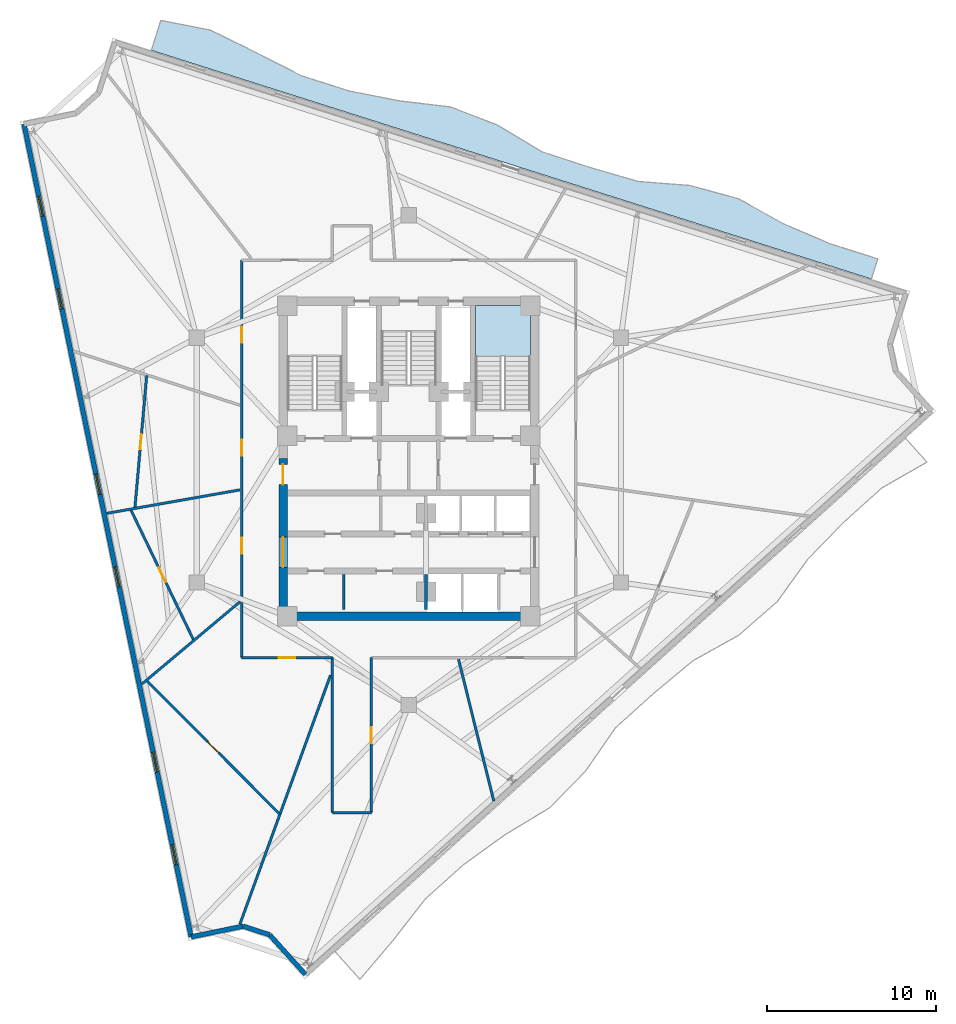
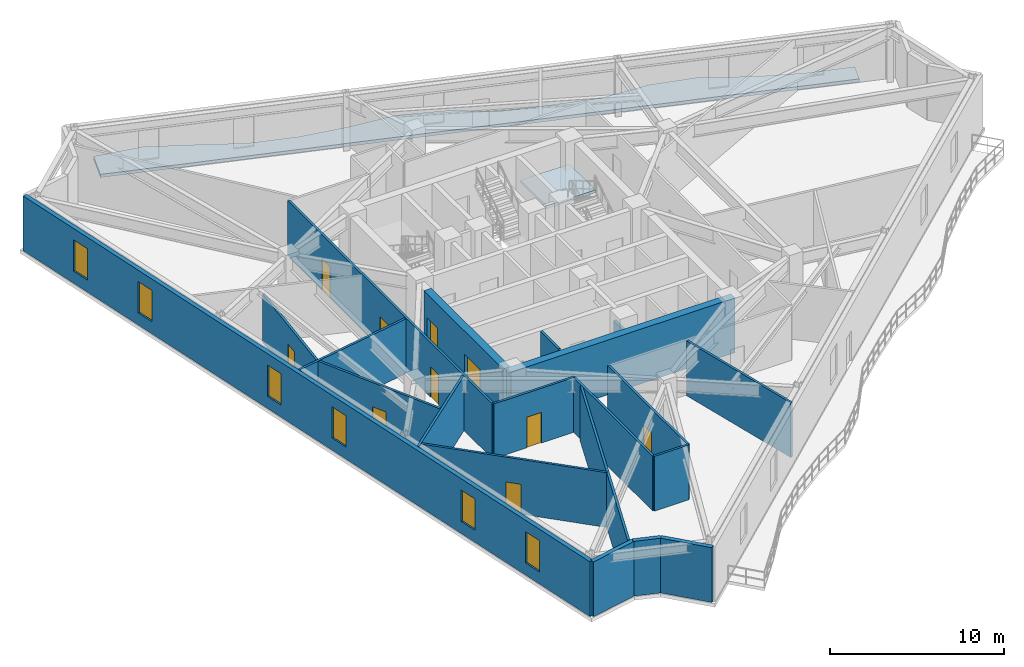
# One storey, part 5 of 11: 20 walls, 10 doors, 6 windows, 2 slabs, 16 openings, 1 element without a shape of its own.
"""IFC4 building model written with IfcOpenShell, lengths in metres."""

import ifcopenshell
import ifcopenshell.guid

model = None  # the IFC model being written
_history = None  # IfcOwnerHistory: only IFC2X3 demands one
_inside = {}  # id of a spatial element -> (the spatial element, [elements in it])
_under = {}  # id of a project, library or spatial element -> (it, [spatial elements below it])
_declared = {}  # id of a project -> (the project, [libraries it declares])
_typed = {}  # id of a type object -> (the type object, [elements of that type])
_made_of = {}  # id of a material, layer set ... -> (it, [elements and type objects made of it])


def new_model(schema):
    """Start an empty IFC model of exactly this schema.

    Asked for "IFC4X3", IfcOpenShell would pick the latest addendum, in which some entities
    have other attributes; the version numbers below select the first issue.
    IFC2X3 requires an IfcOwnerHistory on every rooted entity: one is made here for all.
    """
    global model, _history
    if schema == "IFC4X3":
        model = ifcopenshell.file(schema_version=(4, 3, 0, 0))
    else:
        model = ifcopenshell.file(schema=schema)
    _inside.clear()
    _under.clear()
    _declared.clear()
    _typed.clear()
    _made_of.clear()
    _history = None
    if model.schema == "IFC2X3":
        org = make("IfcOrganization", Name="unknown")
        user = make(
            "IfcPersonAndOrganization",
            ThePerson=make("IfcPerson", FamilyName="unknown"),
            TheOrganization=org,
        )
        app = make(
            "IfcApplication",
            ApplicationDeveloper=org,
            Version="unknown",
            ApplicationFullName="unknown",
            ApplicationIdentifier="unknown",
        )
        _history = make(
            "IfcOwnerHistory",
            OwningUser=user,
            OwningApplication=app,
            ChangeAction="ADDED",
            CreationDate=0,
        )
    return model


def make(cls, **values):
    """One entity of the class cls with the attributes given. An attribute that is None is left unset."""
    return model.create_entity(
        cls, **{name: value for name, value in values.items() if value is not None}
    )


def rooted(cls, **values):
    """An entity with a GlobalId (a new one), such as an element, a storey or a relation."""
    return make(cls, GlobalId=ifcopenshell.guid.new(), OwnerHistory=_history, **values)


def si_unit(unit_type, name, prefix=None):
    """IfcSIUnit, for example si_unit("LENGTHUNIT", "METRE", prefix="MILLI")."""
    return make("IfcSIUnit", UnitType=unit_type, Prefix=prefix, Name=name)


def assignment(units):
    """IfcUnitAssignment: the units of a project."""
    return None if units is None else make("IfcUnitAssignment", Units=units)


def point(xyz):
    """IfcCartesianPoint."""
    return None if xyz is None else make("IfcCartesianPoint", Coordinates=xyz)


def direction(xyz):
    """IfcDirection."""
    return None if xyz is None else make("IfcDirection", DirectionRatios=xyz)


def frame(location, z_axis=None, x_axis=None):
    """IfcAxis2Placement3D, a coordinate frame: its origin and axes. An axis left out is left unset."""
    return make(
        "IfcAxis2Placement3D",
        Location=point(location),
        Axis=direction(z_axis),
        RefDirection=direction(x_axis),
    )


def frame_2d(location, x_axis=None):
    """IfcAxis2Placement2D, a coordinate frame in the plane: its origin and x axis."""
    return make(
        "IfcAxis2Placement2D", Location=point(location), RefDirection=direction(x_axis)
    )


def origin():
    """The frame at (0, 0, 0) with its axes left unset."""
    return frame((0.0, 0.0, 0.0))


def place(relative_to, where):
    """IfcLocalPlacement: puts the frame where relative to a parent placement (None: the world)."""
    return make(
        "IfcLocalPlacement", PlacementRelTo=relative_to, RelativePlacement=where
    )


def context(
    kind, dimensions, precision=None, world=None, true_north=None, identifier=None
):
    """IfcGeometricRepresentationContext, for example the 3D "Model" context."""
    return make(
        "IfcGeometricRepresentationContext",
        ContextIdentifier=identifier,
        ContextType=kind,
        CoordinateSpaceDimension=dimensions,
        Precision=precision,
        WorldCoordinateSystem=world,
        TrueNorth=true_north,
    )


def subcontext(parent, identifier, kind, view, scale=None):
    """IfcGeometricRepresentationSubContext, for example "Body" below "Model"."""
    return make(
        "IfcGeometricRepresentationSubContext",
        ContextIdentifier=identifier,
        ContextType=kind,
        ParentContext=parent,
        TargetScale=scale,
        TargetView=view,
    )


def project(units=None, contexts=None):
    """IfcProject with its units and contexts."""
    return rooted(
        "IfcProject",
        Name="project",
        RepresentationContexts=contexts,
        UnitsInContext=assignment(units),
    )


def spatial(cls, under=None, at=None, **own):
    """A site, building, storey or space (cls), placed at a placement, below another one or the project."""
    s = rooted(cls, ObjectPlacement=at, **own)
    if under is not None:
        _under.setdefault(under.id(), (under, []))[1].append(s)
    return s


def polyline(points):
    """IfcPolyline through the points."""
    return make("IfcPolyline", Points=[point(p) for p in points])


def profile(cls, at=None, kind="AREA", **sizes):
    """A parametric profile (cls). Its sizes go by their IFC names, for example OverallWidth=200.0."""
    return make(cls, ProfileType=kind, Position=at, **sizes)


def rectangle(**sizes):
    """IfcRectangleProfileDef."""
    return profile("IfcRectangleProfileDef", **sizes)


def outline(outer, holes=None, kind="AREA"):
    """IfcArbitraryClosedProfileDef: a profile drawn as a closed curve; with holes, ...WithVoids."""
    if holes is None:
        return make("IfcArbitraryClosedProfileDef", ProfileType=kind, OuterCurve=outer)
    return make(
        "IfcArbitraryProfileDefWithVoids",
        ProfileType=kind,
        OuterCurve=outer,
        InnerCurves=holes,
    )


def extrude(swept, where, along, depth):
    """IfcExtrudedAreaSolid: the profile swept, set in the frame where, extruded along a direction by depth."""
    return make(
        "IfcExtrudedAreaSolid",
        SweptArea=swept,
        Position=where,
        ExtrudedDirection=direction(along),
        Depth=depth,
    )


def shape(context_of_items, identifier, shape_type, items):
    """IfcShapeRepresentation: the items that make up one representation, for example the "Body"."""
    return make(
        "IfcShapeRepresentation",
        ContextOfItems=context_of_items,
        RepresentationIdentifier=identifier,
        RepresentationType=shape_type,
        Items=items,
    )


def material(Name=None, Category=None):
    """IfcMaterial."""
    return make("IfcMaterial", Name=Name, Category=Category)


def layer(
    of_material, thickness, ventilated=None, Name=None, Category=None, Priority=None
):
    """IfcMaterialLayer: one layer of a wall or slab, of a material (None: an air gap)."""
    return make(
        "IfcMaterialLayer",
        Material=of_material,
        LayerThickness=thickness,
        IsVentilated=ventilated,
        Name=Name,
        Category=Category,
        Priority=Priority,
    )


def layer_set(layers, Name=None):
    """IfcMaterialLayerSet."""
    return make("IfcMaterialLayerSet", MaterialLayers=layers, LayerSetName=Name)


def made_of(thing, what):
    """Note that an element or type object is made of a material, layer set ...; save() writes the relation."""
    if what is not None:
        _made_of.setdefault(what.id(), (what, []))[1].append(thing)
    return thing


def type_object(cls, material=None, **own):
    """A type object (cls), such as IfcWallType, which elements share."""
    return made_of(rooted(cls, **own), material)


def element(
    cls,
    number,
    at=None,
    inside=None,
    cuts=None,
    type_object=None,
    material=None,
    context=None,
    identifier="Body",
    shape_type=None,
    held_by="IfcProductDefinitionShape",
    body=None,
    shapes=None,
    **own,
):
    """One element of the class cls, such as IfcWall. Its Tag is "e" and its number.

    at: its placement. inside: the storey or other place that contains it. cuts: it is an
    opening in that element (IfcRelVoidsElement). A single representation is given by context,
    identifier, shape_type and body (its items); several are given by shapes. held_by: the class
    of the entity that holds the representations. save() writes the other relations.
    """
    e = rooted(cls, Tag="e%d" % number, ObjectPlacement=at, **own)
    if body is not None:
        shapes = [shape(context, identifier, shape_type, body)]
    if shapes is not None:
        e.Representation = make(held_by, Representations=shapes)
    if inside is not None:
        _inside.setdefault(inside.id(), (inside, []))[1].append(e)
    if cuts is not None:
        rooted(
            "IfcRelVoidsElement", RelatingBuildingElement=cuts, RelatedOpeningElement=e
        )
    if type_object is not None:
        _typed.setdefault(type_object.id(), (type_object, []))[1].append(e)
    return made_of(e, material)


def fill(opening, filler):
    """IfcRelFillsElement: the door or window that sits in an opening."""
    return rooted(
        "IfcRelFillsElement",
        RelatingOpeningElement=opening,
        RelatedBuildingElement=filler,
    )


def aggregate(whole, parts):
    """IfcRelAggregates: a whole, such as a stair, and the parts it consists of."""
    return rooted("IfcRelAggregates", RelatingObject=whole, RelatedObjects=parts)


def save(model, path):
    """Write the relations noted so far, then the file.

    IfcRelAggregates (storeys below a building ...), IfcRelContainedInSpatialStructure (elements
    in a storey), IfcRelDefinesByType, IfcRelAssociatesMaterial and IfcRelDeclares: one each for
    every whole, place, type object, material and project.
    """
    for whole, parts in _under.values():
        aggregate(whole, parts)
    for where, things in _inside.values():
        rooted(
            "IfcRelContainedInSpatialStructure",
            RelatedElements=things,
            RelatingStructure=where,
        )
    for kind, things in _typed.values():
        rooted("IfcRelDefinesByType", RelatedObjects=things, RelatingType=kind)
    for what, things in _made_of.values():
        rooted("IfcRelAssociatesMaterial", RelatedObjects=things, RelatingMaterial=what)
    for by, libraries in _declared.values():
        rooted("IfcRelDeclares", RelatingContext=by, RelatedDefinitions=libraries)
    model.write(path)


model = new_model("IFC4")

# Units and contexts
model_context = context("Model", 3, precision=1e-05, world=origin(), true_north=direction((0.0, 1.0)))
body_context = subcontext(model_context, "Body", "Model", "MODEL_VIEW")
ifc_project = project(units=[si_unit("LENGTHUNIT", "METRE"), si_unit("AREAUNIT", "SQUARE_METRE"), si_unit("VOLUMEUNIT", "CUBIC_METRE"), si_unit("PLANEANGLEUNIT", "RADIAN"), si_unit("MASSUNIT", "GRAM", prefix="KILO")], contexts=[model_context])

# Site, building, storey
site_placement = place(None, origin())
site = spatial("IfcSite", under=ifc_project, at=site_placement, CompositionType="ELEMENT")
building_placement = place(site_placement, origin())
building = spatial("IfcBuilding", under=site, at=building_placement, Name="Apsidion Concourse Tower", CompositionType="ELEMENT")
storey_placement = place(building_placement, frame((0.0, 0.0, 236.300048828125)))
storey = spatial("IfcBuildingStorey", under=building, at=storey_placement, Name="L55", CompositionType="ELEMENT", Elevation=236.300048828125)

# Slab
ifc_material_1 = material(Name="Concrete C50/60", Category="concrete")
ifc_layer_1 = layer(ifc_material_1, 0.219970703125)
ifc_layer_set_1 = layer_set([ifc_layer_1], Name="Concrete C50/60")
slab_type_1 = type_object("IfcSlabType", Name="SL-BAL-220", PredefinedType="FLOOR", material=ifc_layer_set_1)
slab_1_placement = place(storey_placement, frame((0.0, 0.0, -0.219970703125)))
element("IfcSlab", 1, at=slab_1_placement, inside=storey, type_object=slab_type_1, Name="L55 Face 3 Rippling Balcony Slab", PredefinedType="FLOOR", context=body_context, shape_type="SweptSolid", body=[
    extrude(outline(polyline([(27.39599609375, 10.727294921875), (24.552978515625, 11.63037109375), (21.7099609375, 12.533447265625), (18.86669921875, 13.436279296875), (16.023681640625, 14.33935546875), (13.1806640625, 15.2421875), (10.337646484375, 16.145263671875), (7.49462890625, 17.04833984375), (4.651611328125, 17.951416015625), (1.80859375, 18.854248046875), (-1.03466796875, 19.75732421875), (-3.877685546875, 20.660400390625), (-6.720703125, 21.563232421875), (-9.563720703125, 22.46630859375), (-12.40673828125, 23.369140625), (-15.25, 24.272216796875), (-14.6875, 26.04248046875), (-11.74169921875, 25.46337890625), (-9.035400390625, 24.130126953125), (-6.34228515625, 22.754638671875), (-3.499267578125, 21.8515625), (-0.55224609375, 21.27587890625), (2.463623046875, 20.9169921875), (5.252197265625, 19.842529296875), (7.880126953125, 18.26220703125), (10.716064453125, 17.336669921875), (13.580810546875, 16.501708984375), (16.6357421875, 16.26611328125), (19.516357421875, 15.481201171875), (22.176513671875, 14.00244140625), (24.931396484375, 12.82177734375), (27.7744140625, 11.918701171875), (27.39599609375, 10.727294921875)])), origin(), (0.0, 0.0, 1.0), 0.219970703125),
])

# Stair, slab
ifc_material_2 = material(Name="Precast concrete C40/50", Category="concrete")
stair_type = type_object("IfcStairType", Name="ST-DL-1550", PredefinedType="HALF_TURN_STAIR", material=ifc_material_2)
stair_placement = place(storey_placement, origin())
stair = element("IfcStair", 2, at=stair_placement, inside=storey, type_object=stair_type, Name="L55 Protected Core Exit Stair ST2", PredefinedType="HALF_TURN_STAIR")
ifc_layer_2 = layer(ifc_material_1, 0.199951171875)
ifc_layer_set_2 = layer_set([ifc_layer_2], Name="Concrete C50/60")
slab_type_2 = type_object("IfcSlabType", Name="SL-ST-LAND-200", PredefinedType="LANDING", material=ifc_layer_set_2)
slab_2_placement = place(storey_placement, frame((0.0, 0.0, 1.849853515625)))
slab_2 = element("IfcSlab", 3, at=slab_2_placement, type_object=slab_type_2, Name="ST2 landing 1", PredefinedType="LANDING", context=body_context, shape_type="SweptSolid", body=[
    extrude(outline(polyline([(7.199951171875, 6.135009765625), (7.199951171875, 9.14990234375), (3.949951171875, 9.14990234375), (3.949951171875, 6.135009765625), (7.199951171875, 6.135009765625)])), origin(), (0.0, 0.0, 1.0), 0.2001953125),
])
aggregate(stair, [slab_2])

# Walls
ifc_layer_3 = layer(ifc_material_2, 0.280029296875)
ifc_layer_set_3 = layer_set([ifc_layer_3], Name="Precast concrete C40/50")
wall_type_1 = type_object("IfcWallType", Name="WL-EXT-280", PredefinedType="STANDARD", material=ifc_layer_set_3)
wall_1_placement = place(storey_placement, frame((-6.13330078125, -30.46044921875, 0.0), z_axis=(0.0, 0.0, 1.0), x_axis=(-0.669131702868, 0.743143838175, 0.0)))
element("IfcWall", 4, at=wall_1_placement, inside=storey, type_object=wall_type_1, Name="L55 Precast Stone Facade Wall 06", PredefinedType="STANDARD", context=body_context, shape_type="SweptSolid", body=[
    extrude(rectangle(XDim=3.150146484375, YDim=0.280029296875, at=frame_2d((1.5751953125, 0.0))), origin(), (0.0, 0.0, 1.0), 3.849853515625),
])
wall_2_placement = place(storey_placement, frame((-8.2412109375, -28.119384765625, 0.0), z_axis=(0.0, 0.0, 1.0), x_axis=(-0.950036767419, 0.312138015231, 0.0)))
element("IfcWall", 5, at=wall_2_placement, inside=storey, type_object=wall_type_1, Name="L55 Precast Stone Facade Wall 07", PredefinedType="STANDARD", context=body_context, shape_type="SweptSolid", body=[
    extrude(rectangle(XDim=1.648681640625, YDim=0.280029296875, at=frame_2d((0.82421875, 0.0))), origin(), (0.0, 0.0, 1.0), 3.849853515625),
])
wall_3_placement = place(storey_placement, frame((-9.8076171875, -27.604736328125, 0.0), z_axis=(0.0, 0.0, 1.0), x_axis=(-0.979505186658, -0.201418939799, 0.0)))
element("IfcWall", 6, at=wall_3_placement, inside=storey, type_object=wall_type_1, Name="L55 Precast Stone Facade Wall 08", PredefinedType="STANDARD", context=body_context, shape_type="SweptSolid", body=[
    extrude(rectangle(XDim=3.150146484375, YDim=0.280029296875, at=frame_2d((1.5751953125, 0.0))), origin(), (0.0, 0.0, 1.0), 3.849853515625),
])

# Wall, openings, windows
wall_4_placement = place(storey_placement, frame((-12.893310546875, -28.2392578125, 0.0), z_axis=(0.0, 0.0, 1.0), x_axis=(-0.201426823496, 0.979503565474, 0.0)))
wall_4 = element("IfcWall", 7, at=wall_4_placement, inside=storey, type_object=wall_type_1, Name="L55 Precast Stone Facade Wall 09", PredefinedType="STANDARD", context=body_context, shape_type="SweptSolid", body=[
    extrude(rectangle(XDim=49.145263671875, YDim=0.280029296875, at=frame_2d((24.57275390625, 0.0))), origin(), (0.0, 0.0, 1.0), 3.849853515625),
])
opening_1_placement = place(wall_4_placement, frame((4.37255859375, 0.0, 0.85009765625)))
opening_1 = element("IfcOpeningElement", 8, at=opening_1_placement, cuts=wall_4, Name="Opening WN-06", PredefinedType="OPENING", context=body_context, shape_type="SweptSolid", body=[
    extrude(rectangle(XDim=1.199951171875, YDim=2.199951171875, at=frame_2d((0.60009765625, 1.10009765625))), frame((0.0, 0.14990234375, 0.0), z_axis=(0.0, -1.0, 0.0), x_axis=(1.0, 0.0, 0.0)), (0.0, 0.0, 1.0), 0.300048828125),
])
opening_2_placement = place(wall_4_placement, frame((9.97265625, 0.0, 0.85009765625)))
opening_2 = element("IfcOpeningElement", 9, at=opening_2_placement, cuts=wall_4, Name="Opening WN-06", PredefinedType="OPENING", context=body_context, shape_type="SweptSolid", body=[
    extrude(rectangle(XDim=1.199951171875, YDim=2.199951171875, at=frame_2d((0.60009765625, 1.10009765625))), frame((0.0, 0.14990234375, 0.0), z_axis=(0.0, -1.0, 0.0), x_axis=(1.0, 0.0, 0.0)), (0.0, 0.0, 1.0), 0.300048828125),
])
opening_3_placement = place(wall_4_placement, frame((21.172607421875, 0.0, 0.85009765625)))
opening_3 = element("IfcOpeningElement", 10, at=opening_3_placement, cuts=wall_4, Name="Opening WN-06", PredefinedType="OPENING", context=body_context, shape_type="SweptSolid", body=[
    extrude(rectangle(XDim=1.199951171875, YDim=2.199951171875, at=frame_2d((0.60009765625, 1.10009765625))), frame((0.0, 0.14990234375, 0.0), z_axis=(0.0, -1.0, 0.0), x_axis=(1.0, 0.0, 0.0)), (0.0, 0.0, 1.0), 0.300048828125),
])
opening_4_placement = place(wall_4_placement, frame((26.772705078125, 0.0, 0.85009765625)))
opening_4 = element("IfcOpeningElement", 11, at=opening_4_placement, cuts=wall_4, Name="Opening WN-06", PredefinedType="OPENING", context=body_context, shape_type="SweptSolid", body=[
    extrude(rectangle(XDim=1.199951171875, YDim=2.199951171875, at=frame_2d((0.60009765625, 1.10009765625))), frame((0.0, 0.14990234375, 0.0), z_axis=(0.0, -1.0, 0.0), x_axis=(1.0, 0.0, 0.0)), (0.0, 0.0, 1.0), 0.300048828125),
])
opening_5_placement = place(wall_4_placement, frame((37.97265625, 0.0, 0.85009765625)))
opening_5 = element("IfcOpeningElement", 12, at=opening_5_placement, cuts=wall_4, Name="Opening WN-06", PredefinedType="OPENING", context=body_context, shape_type="SweptSolid", body=[
    extrude(rectangle(XDim=1.199951171875, YDim=2.199951171875, at=frame_2d((0.60009765625, 1.10009765625))), frame((0.0, 0.14990234375, 0.0), z_axis=(0.0, -1.0, 0.0), x_axis=(1.0, 0.0, 0.0)), (0.0, 0.0, 1.0), 0.300048828125),
])
opening_6_placement = place(wall_4_placement, frame((43.572509765625, 0.0, 0.85009765625)))
opening_6 = element("IfcOpeningElement", 13, at=opening_6_placement, cuts=wall_4, Name="Opening WN-06", PredefinedType="OPENING", context=body_context, shape_type="SweptSolid", body=[
    extrude(rectangle(XDim=1.199951171875, YDim=2.199951171875, at=frame_2d((0.60009765625, 1.10009765625))), frame((0.0, 0.14990234375, 0.0), z_axis=(0.0, -1.0, 0.0), x_axis=(1.0, 0.0, 0.0)), (0.0, 0.0, 1.0), 0.300048828125),
])
ifc_material_3 = material(Name="Insulated laminated low-E glass", Category="glass")
window_type = type_object("IfcWindowType", Name="WN-OFF-1224", PartitioningType="SINGLE_PANEL", PredefinedType="WINDOW", material=ifc_material_3)
window_1_placement = place(opening_1_placement, origin())
window_1 = element("IfcWindow", 14, at=window_1_placement, inside=storey, type_object=window_type, Name="L55 Punched Facade Window 9-01", OverallHeight=2.199951171875, OverallWidth=1.199951171875, PartitioningType="SINGLE_PANEL", PredefinedType="WINDOW", context=body_context, shape_type="SweptSolid", body=[
    extrude(rectangle(XDim=1.199951171875, YDim=2.199951171875, at=frame_2d((0.60009765625, 1.10009765625))), frame((0.0, 0.030029296875, 0.0), z_axis=(0.0, -1.0, 0.0), x_axis=(1.0, 0.0, 0.0)), (0.0, 0.0, 1.0), 0.06005859375),
])
fill(opening_1, window_1)
window_2_placement = place(opening_2_placement, origin())
window_2 = element("IfcWindow", 15, at=window_2_placement, inside=storey, type_object=window_type, Name="L55 Punched Facade Window 9-02", OverallHeight=2.199951171875, OverallWidth=1.199951171875, PartitioningType="SINGLE_PANEL", PredefinedType="WINDOW", context=body_context, shape_type="SweptSolid", body=[
    extrude(rectangle(XDim=1.199951171875, YDim=2.199951171875, at=frame_2d((0.60009765625, 1.10009765625))), frame((0.0, 0.030029296875, 0.0), z_axis=(0.0, -1.0, 0.0), x_axis=(1.0, 0.0, 0.0)), (0.0, 0.0, 1.0), 0.06005859375),
])
fill(opening_2, window_2)
window_3_placement = place(opening_3_placement, origin())
window_3 = element("IfcWindow", 16, at=window_3_placement, inside=storey, type_object=window_type, Name="L55 Punched Facade Window 9-04", OverallHeight=2.199951171875, OverallWidth=1.199951171875, PartitioningType="SINGLE_PANEL", PredefinedType="WINDOW", context=body_context, shape_type="SweptSolid", body=[
    extrude(rectangle(XDim=1.199951171875, YDim=2.199951171875, at=frame_2d((0.60009765625, 1.10009765625))), frame((0.0, 0.030029296875, 0.0), z_axis=(0.0, -1.0, 0.0), x_axis=(1.0, 0.0, 0.0)), (0.0, 0.0, 1.0), 0.06005859375),
])
fill(opening_3, window_3)
window_4_placement = place(opening_4_placement, origin())
window_4 = element("IfcWindow", 17, at=window_4_placement, inside=storey, type_object=window_type, Name="L55 Punched Facade Window 9-05", OverallHeight=2.199951171875, OverallWidth=1.199951171875, PartitioningType="SINGLE_PANEL", PredefinedType="WINDOW", context=body_context, shape_type="SweptSolid", body=[
    extrude(rectangle(XDim=1.199951171875, YDim=2.199951171875, at=frame_2d((0.60009765625, 1.10009765625))), frame((0.0, 0.030029296875, 0.0), z_axis=(0.0, -1.0, 0.0), x_axis=(1.0, 0.0, 0.0)), (0.0, 0.0, 1.0), 0.06005859375),
])
fill(opening_4, window_4)
window_5_placement = place(opening_5_placement, origin())
window_5 = element("IfcWindow", 18, at=window_5_placement, inside=storey, type_object=window_type, Name="L55 Punched Facade Window 9-07", OverallHeight=2.199951171875, OverallWidth=1.199951171875, PartitioningType="SINGLE_PANEL", PredefinedType="WINDOW", context=body_context, shape_type="SweptSolid", body=[
    extrude(rectangle(XDim=1.199951171875, YDim=2.199951171875, at=frame_2d((0.60009765625, 1.10009765625))), frame((0.0, 0.030029296875, 0.0), z_axis=(0.0, -1.0, 0.0), x_axis=(1.0, 0.0, 0.0)), (0.0, 0.0, 1.0), 0.06005859375),
])
fill(opening_5, window_5)
window_6_placement = place(opening_6_placement, origin())
window_6 = element("IfcWindow", 19, at=window_6_placement, inside=storey, type_object=window_type, Name="L55 Punched Facade Window 9-08", OverallHeight=2.199951171875, OverallWidth=1.199951171875, PartitioningType="SINGLE_PANEL", PredefinedType="WINDOW", context=body_context, shape_type="SweptSolid", body=[
    extrude(rectangle(XDim=1.199951171875, YDim=2.199951171875, at=frame_2d((0.60009765625, 1.10009765625))), frame((0.0, 0.030029296875, 0.0), z_axis=(0.0, -1.0, 0.0), x_axis=(1.0, 0.0, 0.0)), (0.0, 0.0, 1.0), 0.06005859375),
])
fill(opening_6, window_6)

# Wall
ifc_material_4 = material(Name="Gypsum plasterboard partition")
ifc_layer_4 = layer(ifc_material_4, 0.14990234375)
ifc_layer_set_4 = layer_set([ifc_layer_4], Name="Gypsum plasterboard partition")
wall_type_2 = type_object("IfcWallType", Name="WL-INT-PAR-150", PredefinedType="PARTITIONING", material=ifc_layer_set_4)
wall_5_placement = place(storey_placement, frame((-3.85009765625, -8.85009765625, 0.0), z_axis=(0.0, 0.0, 1.0), x_axis=(0.0, 1.0, 0.0)))
element("IfcWall", 20, at=wall_5_placement, inside=storey, type_object=wall_type_2, Name="L55 Interior Partition WL-L55-B2RV1", PredefinedType="PARTITIONING", context=body_context, shape_type="SweptSolid", body=[
    extrude(rectangle(XDim=2.080078125, YDim=0.14990234375, at=frame_2d((1.0400390625, 0.0))), origin(), (0.0, 0.0, 1.0), 3.849853515625),
])

# Wall, opening, door
wall_6_placement = place(storey_placement, frame((-4.530029296875, -11.699951171875, 0.0), z_axis=(0.0, 0.0, 1.0), x_axis=(-1.0, 0.0, 0.0)))
wall_6 = element("IfcWall", 21, at=wall_6_placement, inside=storey, type_object=wall_type_2, Name="L55 Interior Partition WL-L55-CORR-01", PredefinedType="PARTITIONING", context=body_context, shape_type="SweptSolid", body=[
    extrude(rectangle(XDim=5.369873046875, YDim=0.14990234375, at=frame_2d((2.68505859375, 0.0))), origin(), (0.0, 0.0, 1.0), 3.849853515625),
])
opening_7_placement = place(wall_6_placement, frame((2.2099609375, 0.0, 0.0)))
opening_7 = element("IfcOpeningElement", 22, at=opening_7_placement, cuts=wall_6, Name="Opening D-01R", PredefinedType="OPENING", context=body_context, shape_type="SweptSolid", body=[
    extrude(rectangle(XDim=0.949951171875, YDim=2.14990234375, at=frame_2d((0.47509765625, 1.074951171875))), frame((0.0, 0.0849609375, 0.0), z_axis=(0.0, -1.0, 0.0), x_axis=(1.0, 0.0, 0.0)), (0.0, 0.0, 1.0), 0.169921875),
])
ifc_material_5 = material(Name="Brushed stainless steel 316", Category="steel")
door_type_1 = type_object("IfcDoorType", Name="DR-INT-D01R", OperationType="SINGLE_SWING_RIGHT", PredefinedType="DOOR", material=ifc_material_5)
door_1_placement = place(opening_7_placement, origin())
door_1 = element("IfcDoor", 23, at=door_1_placement, inside=storey, type_object=door_type_1, Name="L55 Corridor Entry Door 02", OperationType="SINGLE_SWING_RIGHT", OverallHeight=2.14990234375, OverallWidth=0.949951171875, PredefinedType="DOOR", context=body_context, shape_type="SweptSolid", body=[
    extrude(rectangle(XDim=0.949951171875, YDim=2.14990234375, at=frame_2d((0.47509765625, 1.074951171875))), frame((0.0, 0.02490234375, 0.0), z_axis=(0.0, -1.0, 0.0), x_axis=(1.0, 0.0, 0.0)), (0.0, 0.0, 1.0), 0.050048828125),
])
fill(opening_7, door_1)

# Wall, openings, doors
wall_7_placement = place(storey_placement, frame((-9.89990234375, -11.699951171875, 0.0), z_axis=(0.0, 0.0, 1.0), x_axis=(0.0, 1.0, 0.0)))
wall_7 = element("IfcWall", 24, at=wall_7_placement, inside=storey, type_object=wall_type_2, Name="L55 Interior Partition WL-L55-CORR-02", PredefinedType="PARTITIONING", context=body_context, shape_type="SweptSolid", body=[
    extrude(rectangle(XDim=23.550048828125, YDim=0.14990234375, at=frame_2d((11.77490234375, 0.0))), origin(), (0.0, 0.0, 1.0), 3.849853515625),
])
opening_8_placement = place(wall_7_placement, frame((6.14501953125, 0.0, 0.0)))
opening_8 = element("IfcOpeningElement", 25, at=opening_8_placement, cuts=wall_7, Name="Opening D-01L", PredefinedType="OPENING", context=body_context, shape_type="SweptSolid", body=[
    extrude(rectangle(XDim=0.949951171875, YDim=2.14990234375, at=frame_2d((0.47509765625, 1.074951171875))), frame((0.0, 0.0849609375, 0.0), z_axis=(0.0, -1.0, 0.0), x_axis=(1.0, 0.0, 0.0)), (0.0, 0.0, 1.0), 0.169921875),
])
opening_9_placement = place(wall_7_placement, frame((18.645263671875, 0.0, 0.0)))
opening_9 = element("IfcOpeningElement", 26, at=opening_9_placement, cuts=wall_7, Name="Opening D-01R", PredefinedType="OPENING", context=body_context, shape_type="SweptSolid", body=[
    extrude(rectangle(XDim=0.949951171875, YDim=2.14990234375, at=frame_2d((0.47509765625, 1.074951171875))), frame((0.0, 0.0849609375, 0.0), z_axis=(0.0, -1.0, 0.0), x_axis=(1.0, 0.0, 0.0)), (0.0, 0.0, 1.0), 0.169921875),
])
opening_10_placement = place(wall_7_placement, frame((11.966552734375, 0.0, 0.0)))
opening_10 = element("IfcOpeningElement", 27, at=opening_10_placement, cuts=wall_7, Name="Opening D-01L", PredefinedType="OPENING", context=body_context, shape_type="SweptSolid", body=[
    extrude(rectangle(XDim=0.949951171875, YDim=2.14990234375, at=frame_2d((0.47509765625, 1.074951171875))), frame((0.0, 0.0849609375, 0.0), z_axis=(0.0, -1.0, 0.0), x_axis=(1.0, 0.0, 0.0)), (0.0, 0.0, 1.0), 0.169921875),
])
door_type_2 = type_object("IfcDoorType", Name="DR-INT-D01L", OperationType="SINGLE_SWING_LEFT", PredefinedType="DOOR", material=ifc_material_5)
door_2_placement = place(opening_8_placement, origin())
door_2 = element("IfcDoor", 28, at=door_2_placement, inside=storey, type_object=door_type_2, Name="L55 Corridor Entry Door 01", OperationType="SINGLE_SWING_LEFT", OverallHeight=2.14990234375, OverallWidth=0.949951171875, PredefinedType="DOOR", context=body_context, shape_type="SweptSolid", body=[
    extrude(rectangle(XDim=0.949951171875, YDim=2.14990234375, at=frame_2d((0.47509765625, 1.074951171875))), frame((0.0, 0.02490234375, 0.0), z_axis=(0.0, -1.0, 0.0), x_axis=(1.0, 0.0, 0.0)), (0.0, 0.0, 1.0), 0.050048828125),
])
fill(opening_8, door_2)
door_3_placement = place(opening_10_placement, origin())
door_3 = element("IfcDoor", 29, at=door_3_placement, inside=storey, type_object=door_type_2, Name="L55 Corridor Entry Door 11", OperationType="SINGLE_SWING_LEFT", OverallHeight=2.14990234375, OverallWidth=0.949951171875, PredefinedType="DOOR", context=body_context, shape_type="SweptSolid", body=[
    extrude(rectangle(XDim=0.949951171875, YDim=2.14990234375, at=frame_2d((0.47509765625, 1.074951171875))), frame((0.0, 0.02490234375, 0.0), z_axis=(0.0, -1.0, 0.0), x_axis=(1.0, 0.0, 0.0)), (0.0, 0.0, 1.0), 0.050048828125),
])
fill(opening_10, door_3)
door_4_placement = place(opening_9_placement, origin())
door_4 = element("IfcDoor", 30, at=door_4_placement, inside=storey, type_object=door_type_1, Name="L55 Corridor Entry Door 10", OperationType="SINGLE_SWING_RIGHT", OverallHeight=2.14990234375, OverallWidth=0.949951171875, PredefinedType="DOOR", context=body_context, shape_type="SweptSolid", body=[
    extrude(rectangle(XDim=0.949951171875, YDim=2.14990234375, at=frame_2d((0.47509765625, 1.074951171875))), frame((0.0, 0.02490234375, 0.0), z_axis=(0.0, -1.0, 0.0), x_axis=(1.0, 0.0, 0.0)), (0.0, 0.0, 1.0), 0.050048828125),
])
fill(opening_9, door_4)

# Wall, opening, door
wall_8_placement = place(storey_placement, frame((-2.219970703125, -11.699951171875, 0.0), z_axis=(0.0, 0.0, 1.0), x_axis=(0.0, -1.0, 0.0)))
wall_8 = element("IfcWall", 31, at=wall_8_placement, inside=storey, type_object=wall_type_2, Name="L55 Interior Partition WL-L55-CORR-10", PredefinedType="PARTITIONING", context=body_context, shape_type="SweptSolid", body=[
    extrude(rectangle(XDim=9.179931640625, YDim=0.14990234375, at=frame_2d((4.58984375, 0.0))), origin(), (0.0, 0.0, 1.0), 3.849853515625),
])
opening_11_placement = place(wall_8_placement, frame((4.114990234375, 0.0, 0.0)))
opening_11 = element("IfcOpeningElement", 32, at=opening_11_placement, cuts=wall_8, Name="Opening D-01L", PredefinedType="OPENING", context=body_context, shape_type="SweptSolid", body=[
    extrude(rectangle(XDim=0.949951171875, YDim=2.14990234375, at=frame_2d((0.47509765625, 1.074951171875))), frame((0.0, 0.0849609375, 0.0), z_axis=(0.0, -1.0, 0.0), x_axis=(1.0, 0.0, 0.0)), (0.0, 0.0, 1.0), 0.169921875),
])
door_5_placement = place(opening_11_placement, origin())
door_5 = element("IfcDoor", 33, at=door_5_placement, inside=storey, type_object=door_type_2, Name="L55 Corridor Entry Door 03", OperationType="SINGLE_SWING_LEFT", OverallHeight=2.14990234375, OverallWidth=0.949951171875, PredefinedType="DOOR", context=body_context, shape_type="SweptSolid", body=[
    extrude(rectangle(XDim=0.949951171875, YDim=2.14990234375, at=frame_2d((0.47509765625, 1.074951171875))), frame((0.0, 0.02490234375, 0.0), z_axis=(0.0, -1.0, 0.0), x_axis=(1.0, 0.0, 0.0)), (0.0, 0.0, 1.0), 0.050048828125),
])
fill(opening_11, door_5)

# Walls
wall_9_placement = place(storey_placement, frame((-2.219970703125, -20.8798828125, 0.0), z_axis=(0.0, 0.0, 1.0), x_axis=(-1.0, 0.0, 0.0)))
element("IfcWall", 34, at=wall_9_placement, inside=storey, type_object=wall_type_2, Name="L55 Interior Partition WL-L55-CORR-11", PredefinedType="PARTITIONING", context=body_context, shape_type="SweptSolid", body=[
    extrude(rectangle(XDim=2.31005859375, YDim=0.14990234375, at=frame_2d((1.155029296875, 0.0))), origin(), (0.0, 0.0, 1.0), 3.849853515625),
])
wall_10_placement = place(storey_placement, frame((-4.530029296875, -20.8798828125, 0.0), z_axis=(0.0, 0.0, 1.0), x_axis=(0.0, 1.0, 0.0)))
element("IfcWall", 35, at=wall_10_placement, inside=storey, type_object=wall_type_2, Name="L55 Interior Partition WL-L55-CORR-12", PredefinedType="PARTITIONING", context=body_context, shape_type="SweptSolid", body=[
    extrude(rectangle(XDim=9.179931640625, YDim=0.14990234375, at=frame_2d((4.58984375, 0.0))), origin(), (0.0, 0.0, 1.0), 3.849853515625),
])
wall_11_placement = place(storey_placement, frame((-10.0048828125, -1.76416015625, 0.0), z_axis=(0.0, 0.0, 1.0), x_axis=(-0.984809322237, -0.173639277917, 0.0)))
element("IfcWall", 36, at=wall_11_placement, inside=storey, type_object=wall_type_2, Name="L55 Interior Partition WL-L55-RAD-06-1", PredefinedType="PARTITIONING", context=body_context, shape_type="SweptSolid", body=[
    extrude(rectangle(XDim=8.010009765625, YDim=0.14990234375, at=frame_2d((4.0048828125, 0.0))), origin(), (0.0, 0.0, 1.0), 3.849853515625),
])
wall_12_placement = place(storey_placement, frame((-10.0048828125, -8.395263671875, 0.0), z_axis=(0.0, 0.0, 1.0), x_axis=(-0.766058052835, -0.64277138991, 0.0)))
element("IfcWall", 37, at=wall_12_placement, inside=storey, type_object=wall_type_2, Name="L55 Interior Partition WL-L55-RAD-07-1", PredefinedType="PARTITIONING", context=body_context, shape_type="SweptSolid", body=[
    extrude(rectangle(XDim=7.58251953125, YDim=0.14990234375, at=frame_2d((3.791259765625, 0.0))), origin(), (0.0, 0.0, 1.0), 3.849853515625),
])
wall_13_placement = place(storey_placement, frame((-4.635009765625, -12.734619140625, 0.0), z_axis=(0.0, 0.0, 1.0), x_axis=(-0.342021497246, -0.939692127998, 0.0)))
element("IfcWall", 38, at=wall_13_placement, inside=storey, type_object=wall_type_2, Name="L55 Interior Partition WL-L55-RAD-08-1", PredefinedType="PARTITIONING", context=body_context, shape_type="SweptSolid", body=[
    extrude(rectangle(XDim=15.698974609375, YDim=0.14990234375, at=frame_2d((7.849609375, 0.0))), origin(), (0.0, 0.0, 1.0), 3.849853515625),
])
wall_14_placement = place(storey_placement, frame((2.943359375, -11.804931640625, 0.0), z_axis=(0.0, 0.0, 1.0), x_axis=(0.241924425986, -0.970295095376, 0.0)))
element("IfcWall", 39, at=wall_14_placement, inside=storey, type_object=wall_type_2, Name="L55 Interior Partition WL-L55-RAD-09-1", PredefinedType="PARTITIONING", context=body_context, shape_type="SweptSolid", body=[
    extrude(rectangle(XDim=8.6474609375, YDim=0.14990234375, at=frame_2d((4.32373046875, 0.0))), origin(), (0.0, 0.0, 1.0), 3.849853515625),
])

# Wall, opening, door
wall_15_placement = place(storey_placement, frame((-16.470703125, -2.9296875, 0.0), z_axis=(0.0, 0.0, 1.0), x_axis=(0.434035401787, -0.900895815283, 0.0)))
wall_15 = element("IfcWall", 40, at=wall_15_placement, inside=storey, type_object=wall_type_2, Name="L55 Interior Partition WL-L55-CHD-OFWC", PredefinedType="PARTITIONING", context=body_context, shape_type="SweptSolid", body=[
    extrude(rectangle(XDim=8.5830078125, YDim=0.14990234375, at=frame_2d((4.29150390625, 0.0))), origin(), (0.0, 0.0, 1.0), 3.849853515625),
])
opening_12_placement = place(wall_15_placement, frame((3.81640625, 0.0, 0.0)))
opening_12 = element("IfcOpeningElement", 41, at=opening_12_placement, cuts=wall_15, Name="Opening D-04L", PredefinedType="OPENING", context=body_context, shape_type="SweptSolid", body=[
    extrude(rectangle(XDim=0.949951171875, YDim=2.14990234375, at=frame_2d((0.47509765625, 1.074951171875))), frame((0.0, 0.0849609375, 0.0), z_axis=(0.0, -1.0, 0.0), x_axis=(1.0, 0.0, 0.0)), (0.0, 0.0, 1.0), 0.169921875),
])
door_type_3 = type_object("IfcDoorType", Name="DR-INT-D04L", OperationType="SINGLE_SWING_LEFT", PredefinedType="DOOR", material=ifc_material_5)
door_6_placement = place(opening_12_placement, origin())
door_6 = element("IfcDoor", 42, at=door_6_placement, inside=storey, type_object=door_type_3, Name="L55 Suite Connecting Door OFWC", OperationType="SINGLE_SWING_LEFT", OverallHeight=2.14990234375, OverallWidth=0.949951171875, PredefinedType="DOOR", context=body_context, shape_type="SweptSolid", body=[
    extrude(rectangle(XDim=0.949951171875, YDim=2.14990234375, at=frame_2d((0.47509765625, 1.074951171875))), frame((0.0, 0.02490234375, 0.0), z_axis=(0.0, -1.0, 0.0), x_axis=(1.0, 0.0, 0.0)), (0.0, 0.0, 1.0), 0.050048828125),
])
fill(opening_12, door_6)

wall_16_placement = place(storey_placement, frame((-15.527587890625, -13.06201171875, 0.0), z_axis=(0.0, 0.0, 1.0), x_axis=(0.706087904812, -0.708124191564, 0.0)))
wall_16 = element("IfcWall", 43, at=wall_16_placement, inside=storey, type_object=wall_type_2, Name="L55 Interior Partition WL-L55-CHD-OFS01", PredefinedType="PARTITIONING", context=body_context, shape_type="SweptSolid", body=[
    extrude(rectangle(XDim=11.150146484375, YDim=0.14990234375, at=frame_2d((5.5751953125, 0.0))), origin(), (0.0, 0.0, 1.0), 3.849853515625),
])
opening_13_placement = place(wall_16_placement, frame((5.125244140625, 0.0, 0.0)))
opening_13 = element("IfcOpeningElement", 44, at=opening_13_placement, cuts=wall_16, Name="Opening D-02R", PredefinedType="OPENING", context=body_context, shape_type="SweptSolid", body=[
    extrude(rectangle(XDim=0.89990234375, YDim=2.10009765625, at=frame_2d((0.449951171875, 1.050048828125))), frame((0.0, 0.0849609375, 0.0), z_axis=(0.0, -1.0, 0.0), x_axis=(1.0, 0.0, 0.0)), (0.0, 0.0, 1.0), 0.169921875),
])
ifc_material_6 = material(Name="Anodised aluminium EN AW-6063 T6", Category="aluminium")
door_type_4 = type_object("IfcDoorType", Name="DR-INT-D02R", OperationType="SINGLE_SWING_RIGHT", PredefinedType="DOOR", material=ifc_material_6)
door_7_placement = place(opening_13_placement, origin())
door_7 = element("IfcDoor", 45, at=door_7_placement, inside=storey, type_object=door_type_4, Name="L55 Suite Connecting Door OFS01", OperationType="SINGLE_SWING_RIGHT", OverallHeight=2.10009765625, OverallWidth=0.89990234375, PredefinedType="DOOR", context=body_context, shape_type="SweptSolid", body=[
    extrude(rectangle(XDim=0.89990234375, YDim=2.10009765625, at=frame_2d((0.449951171875, 1.050048828125))), frame((0.0, 0.02490234375, 0.0), z_axis=(0.0, -1.0, 0.0), x_axis=(1.0, 0.0, 0.0)), (0.0, 0.0, 1.0), 0.050048828125),
])
fill(opening_13, door_7)

wall_17_placement = place(storey_placement, frame((-15.523681640625, 5.017578125, 0.0), z_axis=(0.0, 0.0, 1.0), x_axis=(-0.088751444217, -0.996053804345, 0.0)))
wall_17 = element("IfcWall", 46, at=wall_17_placement, inside=storey, type_object=wall_type_2, Name="L55 Interior Partition WL-L55-CHD-OFS10", PredefinedType="PARTITIONING", context=body_context, shape_type="SweptSolid", body=[
    extrude(rectangle(XDim=7.8837890625, YDim=0.14990234375, at=frame_2d((3.94189453125, 0.0))), origin(), (0.0, 0.0, 1.0), 3.4150390625),
])
opening_14_placement = place(wall_17_placement, frame((3.491943359375, 0.0, 0.0)))
opening_14 = element("IfcOpeningElement", 47, at=opening_14_placement, cuts=wall_17, Name="Opening D-02L", PredefinedType="OPENING", context=body_context, shape_type="SweptSolid", body=[
    extrude(rectangle(XDim=0.89990234375, YDim=2.10009765625, at=frame_2d((0.449951171875, 1.050048828125))), frame((0.0, 0.0849609375, 0.0), z_axis=(0.0, -1.0, 0.0), x_axis=(1.0, 0.0, 0.0)), (0.0, 0.0, 1.0), 0.169921875),
])
door_type_5 = type_object("IfcDoorType", Name="DR-INT-D02L", OperationType="SINGLE_SWING_LEFT", PredefinedType="DOOR", material=ifc_material_6)
door_8_placement = place(opening_14_placement, origin())
door_8 = element("IfcDoor", 48, at=door_8_placement, inside=storey, type_object=door_type_5, Name="L55 Suite Connecting Door OFS10", OperationType="SINGLE_SWING_LEFT", OverallHeight=2.10009765625, OverallWidth=0.89990234375, PredefinedType="DOOR", context=body_context, shape_type="SweptSolid", body=[
    extrude(rectangle(XDim=0.89990234375, YDim=2.10009765625, at=frame_2d((0.449951171875, 1.050048828125))), frame((0.0, 0.02490234375, 0.0), z_axis=(0.0, -1.0, 0.0), x_axis=(1.0, 0.0, 0.0)), (0.0, 0.0, 1.0), 0.050048828125),
])
fill(opening_14, door_8)

# Wall
ifc_layer_5 = layer(ifc_material_4, 0.179931640625)
ifc_layer_set_5 = layer_set([ifc_layer_5], Name="Gypsum plasterboard partition")
wall_type_3 = type_object("IfcWallType", Name="WL-INT-PAR-180", PredefinedType="PARTITIONING", material=ifc_layer_set_5)
wall_18_placement = place(storey_placement, frame((1.02490234375, -8.85009765625, 0.0), z_axis=(0.0, 0.0, 1.0), x_axis=(0.0, 1.0, 0.0)))
element("IfcWall", 49, at=wall_18_placement, inside=storey, type_object=wall_type_3, Name="L55 Interior Partition WL-L55-B2END", PredefinedType="PARTITIONING", context=body_context, shape_type="SweptSolid", body=[
    extrude(rectangle(XDim=2.080078125, YDim=0.179931640625, at=frame_2d((1.0400390625, 0.0))), origin(), (0.0, 0.0, 1.0), 2.89794921875),
])

# Wall, openings, doors
ifc_layer_6 = layer(ifc_material_1, 0.5)
ifc_layer_set_6 = layer_set([ifc_layer_6], Name="Concrete C50/60")
wall_type_4 = type_object("IfcWallType", Name="WL-SH-500", PredefinedType="SHEAR", material=ifc_layer_set_6)
wall_19_placement = place(storey_placement, frame((-7.449951171875, -9.0, 0.0), z_axis=(0.0, 0.0, 1.0), x_axis=(0.0, 1.0, 0.0)))
wall_19 = element("IfcWall", 50, at=wall_19_placement, inside=storey, type_object=wall_type_4, Name="L55 Central Core Shear Wall WS", PredefinedType="SHEAR", context=body_context, shape_type="SweptSolid", body=[
    extrude(rectangle(XDim=9.10009765625, YDim=0.5, at=frame_2d((4.550048828125, 0.0))), origin(), (0.0, 0.0, 1.0), 3.849853515625),
])
opening_15_placement = place(wall_19_placement, frame((2.639892578125, 0.0, 0.0)))
opening_15 = element("IfcOpeningElement", 51, at=opening_15_placement, cuts=wall_19, Name="Opening D-06D", PredefinedType="OPENING", context=body_context, shape_type="SweptSolid", body=[
    extrude(rectangle(XDim=1.800048828125, YDim=2.199951171875, at=frame_2d((0.89990234375, 1.10009765625))), frame((0.0, 0.260009765625, 0.0), z_axis=(0.0, -1.0, 0.0), x_axis=(1.0, 0.0, 0.0)), (0.0, 0.0, 1.0), 0.52001953125),
])
opening_16_placement = place(wall_19_placement, frame((7.550048828125, 0.0, 0.0)))
opening_16 = element("IfcOpeningElement", 52, at=opening_16_placement, cuts=wall_19, Name="Opening D-FFL", PredefinedType="OPENING", context=body_context, shape_type="SweptSolid", body=[
    extrude(rectangle(XDim=1.199951171875, YDim=2.14990234375, at=frame_2d((0.60009765625, 1.074951171875))), frame((0.0, 0.260009765625, 0.0), z_axis=(0.0, -1.0, 0.0), x_axis=(1.0, 0.0, 0.0)), (0.0, 0.0, 1.0), 0.52001953125),
])
door_type_6 = type_object("IfcDoorType", Name="DR-INT-D06D", OperationType="DOUBLE_DOOR_SINGLE_SWING", PredefinedType="DOOR", material=ifc_material_5)
door_9_placement = place(opening_15_placement, origin())
door_9 = element("IfcDoor", 53, at=door_9_placement, inside=storey, type_object=door_type_6, Name="L55 Passenger Lift Lobby WS Portal Door", OperationType="DOUBLE_DOOR_SINGLE_SWING", OverallHeight=2.199951171875, OverallWidth=1.800048828125, PredefinedType="DOOR", context=body_context, shape_type="SweptSolid", body=[
    extrude(rectangle(XDim=1.800048828125, YDim=2.199951171875, at=frame_2d((0.89990234375, 1.10009765625))), frame((0.0, 0.02490234375, 0.0), z_axis=(0.0, -1.0, 0.0), x_axis=(1.0, 0.0, 0.0)), (0.0, 0.0, 1.0), 0.050048828125),
])
fill(opening_15, door_9)
door_type_7 = type_object("IfcDoorType", Name="DR-INT-FFL", OperationType="SINGLE_SWING_LEFT", PredefinedType="DOOR", material=ifc_material_5)
door_10_placement = place(opening_16_placement, origin())
door_10 = element("IfcDoor", 54, at=door_10_placement, inside=storey, type_object=door_type_7, Name="L55 Firefighting Lift Lobby FF1 Door", OperationType="SINGLE_SWING_LEFT", OverallHeight=2.14990234375, OverallWidth=1.199951171875, PredefinedType="DOOR", context=body_context, shape_type="SweptSolid", body=[
    extrude(rectangle(XDim=1.199951171875, YDim=2.14990234375, at=frame_2d((0.60009765625, 1.074951171875))), frame((0.0, 0.02490234375, 0.0), z_axis=(0.0, -1.0, 0.0), x_axis=(1.0, 0.0, 0.0)), (0.0, 0.0, 1.0), 0.050048828125),
])
fill(opening_16, door_10)

# Wall
wall_20_placement = place(storey_placement, frame((-7.449951171875, -9.25, 0.0), z_axis=(0.0, 0.0, 1.0), x_axis=(1.0, 0.0, 0.0)))
element("IfcWall", 55, at=wall_20_placement, inside=storey, type_object=wall_type_4, Name="L55 Central Core Shear Wall S", PredefinedType="SHEAR", context=body_context, shape_type="SweptSolid", body=[
    extrude(rectangle(XDim=14.89990234375, YDim=0.5, at=frame_2d((7.449951171875, 0.0))), origin(), (0.0, 0.0, 1.0), 3.849853515625),
])

save(model, "model.ifc")
